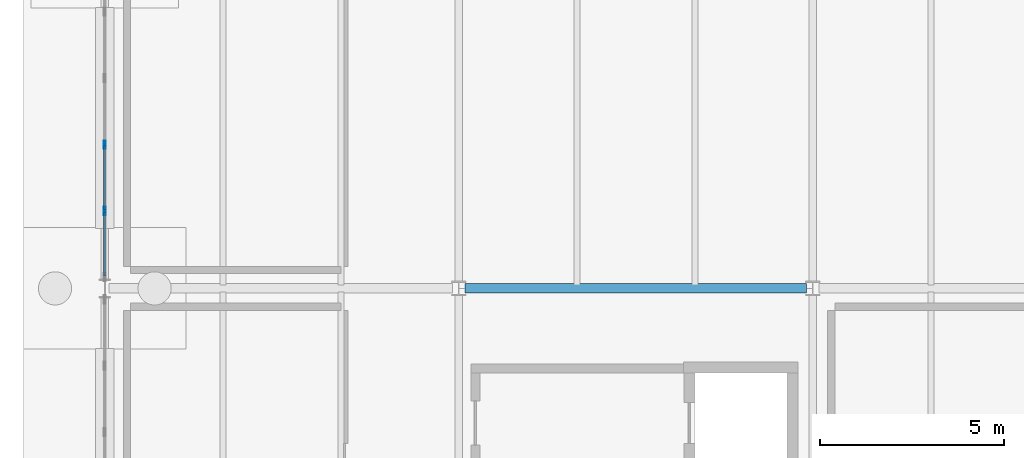
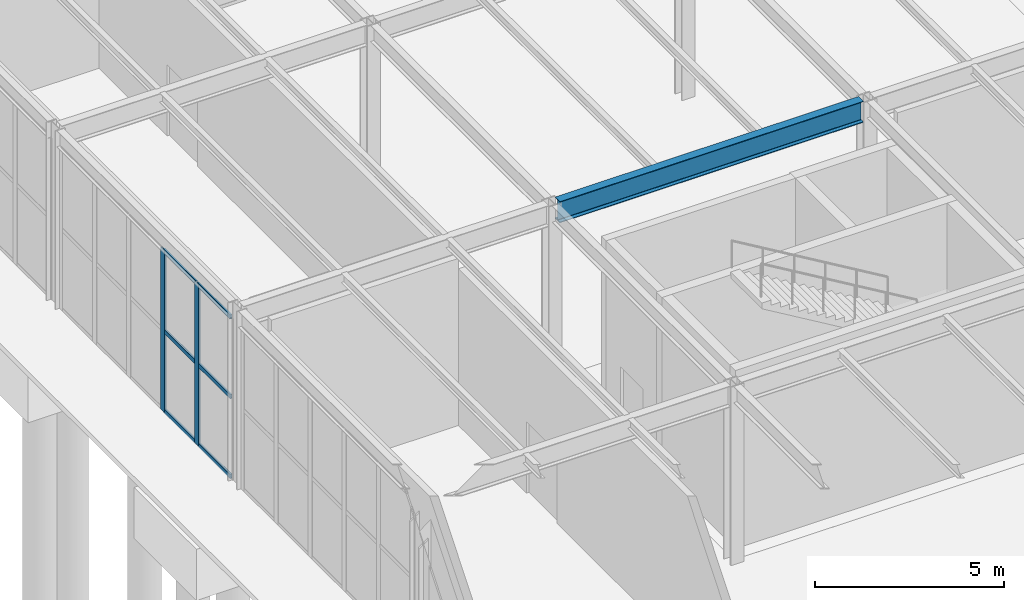
# One storey, part 47 of 142: 8 members, 1 beam, 1 element without a shape of its own.
"""IFC4 building model written with IfcOpenShell, lengths in metres."""

from ifc_helpers import new_model, si_unit, direction, frame, origin, origin_2d, place, context, subcontext, project, spatial, hollow_rectangle, i_section, extrude, material, material_profile, profile_set, type_object, element, aggregate, save


model = new_model("IFC4")

# Units and contexts
model_context = context("Model", 3, precision=1e-05, world=origin(), true_north=direction((0.0, 1.0)))
body_context = subcontext(model_context, "Body", "Model", "MODEL_VIEW")
ifc_project = project(units=[si_unit("LENGTHUNIT", "METRE"), si_unit("AREAUNIT", "SQUARE_METRE"), si_unit("VOLUMEUNIT", "CUBIC_METRE"), si_unit("PLANEANGLEUNIT", "RADIAN"), si_unit("MASSUNIT", "GRAM", prefix="KILO")], contexts=[model_context])

# Site, building, storey
site_placement = place(None, origin())
site = spatial("IfcSite", under=ifc_project, at=site_placement, CompositionType="ELEMENT")
building_placement = place(site_placement, origin())
building = spatial("IfcBuilding", under=site, at=building_placement, Name="Coralgate Yard Interchange", CompositionType="ELEMENT")
storey_placement = place(building_placement, origin())
storey = spatial("IfcBuildingStorey", under=building, at=storey_placement, Name="L00", CompositionType="ELEMENT", Elevation=0.0)

# Beam
ifc_material_1 = material(Name="Structural steel S355J2", Category="steel")
ifc_material_profile_1 = material_profile(ifc_material_1, i_section(OverallWidth=0.253662109375, OverallDepth=0.68359375, WebThickness=0.012451171875, FlangeThickness=0.01904296875, FilletRadius=0.01513671875, at=origin_2d()), Name="UB 686x254x140")
ifc_profile_set_1 = profile_set([ifc_material_profile_1], Name="Structural steel S355J2")
beam_type = type_object("IfcBeamType", Name="BM-SG-4", PredefinedType="BEAM", material=ifc_profile_set_1)
beam_placement = place(storey_placement, frame((9.76953125, 38.39990234375, 5.408203125), z_axis=(1.0, 0.0, 0.0), x_axis=(0.0, 1.0, 0.0)))
element("IfcBeam", 1, at=beam_placement, inside=storey, type_object=beam_type, Name="L00 primary grid beam Y4 X1-2", PredefinedType="BEAM", context=body_context, shape_type="SweptSolid", body=[
    extrude(i_section(OverallWidth=0.253662109375, OverallDepth=0.68359375, WebThickness=0.012451171875, FlangeThickness=0.01904296875, FilletRadius=0.01513671875, at=origin_2d()), origin(), (0.0, 0.0, 1.0), 9.260986328125),
])

# Curtain wall, members
ifc_material_2 = material(Name="Anodised coastal aluminium and solar-control low-E glass", Category="aluminium")
curtain_wall_type = type_object("IfcCurtainWallType", Name="CW-CW-L00-B", PredefinedType="NOTDEFINED", material=ifc_material_2)
curtain_wall_placement = place(storey_placement, origin())
curtain_wall = element("IfcCurtainWall", 2, at=curtain_wall_placement, inside=storey, type_object=curtain_wall_type, Name="L00 unitised curtain wall CW-L00-W-00-04", PredefinedType="NOTDEFINED")
ifc_material_3 = material(Name="Anodised coastal aluminium 6063-T6", Category="aluminium")
ifc_material_profile_2 = material_profile(ifc_material_3, hollow_rectangle(XDim=0.06005859375, YDim=0.219970703125, WallThickness=0.00390625, InnerFilletRadius=0.00390625, OuterFilletRadius=0.008056640625, at=origin_2d()), Name="ALU 60x220x4")
ifc_profile_set_2 = profile_set([ifc_material_profile_2], Name="Anodised coastal aluminium 6063-T6")
member_type_1 = type_object("IfcMemberType", Name="MB-MUL-220", PredefinedType="MULLION", material=ifc_profile_set_2)
member_1_placement = place(storey_placement, frame((0.0, 40.5, 0.0), z_axis=(0.0, 0.0, 1.0), x_axis=(1.0, 0.0, 0.0)))
member_1 = element("IfcMember", 3, at=member_1_placement, type_object=member_type_1, Name="CW-L00-W-00-04 vertical mullion 2", PredefinedType="MULLION", context=body_context, shape_type="SweptSolid", body=[
    extrude(hollow_rectangle(XDim=0.06005859375, YDim=0.219970703125, WallThickness=0.00390625, InnerFilletRadius=0.00390625, OuterFilletRadius=0.008056640625, at=origin_2d()), origin(), (0.0, 0.0, 1.0), 5.216796875),
])
member_2_placement = place(storey_placement, frame((0.0, 42.300048828125, 0.0), z_axis=(0.0, 0.0, 1.0), x_axis=(1.0, 0.0, 0.0)))
member_2 = element("IfcMember", 4, at=member_2_placement, type_object=member_type_1, Name="CW-L00-W-00-04 vertical mullion 3", PredefinedType="MULLION", context=body_context, shape_type="SweptSolid", body=[
    extrude(hollow_rectangle(XDim=0.06005859375, YDim=0.219970703125, WallThickness=0.00390625, InnerFilletRadius=0.00390625, OuterFilletRadius=0.008056640625, at=origin_2d()), origin(), (0.0, 0.0, 1.0), 5.216796875),
])
ifc_material_profile_3 = material_profile(ifc_material_3, hollow_rectangle(XDim=0.06005859375, YDim=0.139892578125, WallThickness=0.00341796875, InnerFilletRadius=0.00341796875, OuterFilletRadius=0.007080078125, at=origin_2d()), Name="ALU 60x140x3.5")
ifc_profile_set_3 = profile_set([ifc_material_profile_3], Name="Anodised coastal aluminium 6063-T6")
member_type_2 = type_object("IfcMemberType", Name="MB-TRN-140", PredefinedType="USERDEFINED", material=ifc_profile_set_3)
member_3_placement = place(storey_placement, frame((0.0, 38.72998046875, 0.034912109375), z_axis=(0.0, 1.0, 0.0), x_axis=(-1.0, 0.0, 0.0)))
member_3 = element("IfcMember", 5, at=member_3_placement, type_object=member_type_2, Name="CW-L00-W-00-04 horizontal transom 1-1", ObjectType="TRANSOM", PredefinedType="USERDEFINED", context=body_context, shape_type="SweptSolid", body=[
    extrude(hollow_rectangle(XDim=0.06005859375, YDim=0.139892578125, WallThickness=0.00341796875, InnerFilletRadius=0.00341796875, OuterFilletRadius=0.007080078125, at=origin_2d()), origin(), (0.0, 0.0, 1.0), 1.739990234375),
])
member_4_placement = place(storey_placement, frame((0.0, 38.72998046875, 2.6083984375), z_axis=(0.0, 1.0, 0.0), x_axis=(-1.0, 0.0, 0.0)))
member_4 = element("IfcMember", 6, at=member_4_placement, type_object=member_type_2, Name="CW-L00-W-00-04 horizontal transom 1-2", ObjectType="TRANSOM", PredefinedType="USERDEFINED", context=body_context, shape_type="SweptSolid", body=[
    extrude(hollow_rectangle(XDim=0.06005859375, YDim=0.139892578125, WallThickness=0.00341796875, InnerFilletRadius=0.00341796875, OuterFilletRadius=0.007080078125, at=origin_2d()), origin(), (0.0, 0.0, 1.0), 1.739990234375),
])
member_5_placement = place(storey_placement, frame((0.0, 38.72998046875, 5.181884765625), z_axis=(0.0, 1.0, 0.0), x_axis=(-1.0, 0.0, 0.0)))
member_5 = element("IfcMember", 7, at=member_5_placement, type_object=member_type_2, Name="CW-L00-W-00-04 horizontal transom 1-3", ObjectType="TRANSOM", PredefinedType="USERDEFINED", context=body_context, shape_type="SweptSolid", body=[
    extrude(hollow_rectangle(XDim=0.06005859375, YDim=0.139892578125, WallThickness=0.00341796875, InnerFilletRadius=0.00341796875, OuterFilletRadius=0.007080078125, at=origin_2d()), origin(), (0.0, 0.0, 1.0), 1.739990234375),
])
member_6_placement = place(storey_placement, frame((0.0, 40.530029296875, 0.034912109375), z_axis=(0.0, 1.0, 0.0), x_axis=(-1.0, 0.0, 0.0)))
member_6 = element("IfcMember", 8, at=member_6_placement, type_object=member_type_2, Name="CW-L00-W-00-04 horizontal transom 2-1", ObjectType="TRANSOM", PredefinedType="USERDEFINED", context=body_context, shape_type="SweptSolid", body=[
    extrude(hollow_rectangle(XDim=0.06005859375, YDim=0.139892578125, WallThickness=0.00341796875, InnerFilletRadius=0.00341796875, OuterFilletRadius=0.007080078125, at=origin_2d()), origin(), (0.0, 0.0, 1.0), 1.739990234375),
])
member_7_placement = place(storey_placement, frame((0.0, 40.530029296875, 2.6083984375), z_axis=(0.0, 1.0, 0.0), x_axis=(-1.0, 0.0, 0.0)))
member_7 = element("IfcMember", 9, at=member_7_placement, type_object=member_type_2, Name="CW-L00-W-00-04 horizontal transom 2-2", ObjectType="TRANSOM", PredefinedType="USERDEFINED", context=body_context, shape_type="SweptSolid", body=[
    extrude(hollow_rectangle(XDim=0.06005859375, YDim=0.139892578125, WallThickness=0.00341796875, InnerFilletRadius=0.00341796875, OuterFilletRadius=0.007080078125, at=origin_2d()), origin(), (0.0, 0.0, 1.0), 1.739990234375),
])
member_8_placement = place(storey_placement, frame((0.0, 40.530029296875, 5.181884765625), z_axis=(0.0, 1.0, 0.0), x_axis=(-1.0, 0.0, 0.0)))
member_8 = element("IfcMember", 10, at=member_8_placement, type_object=member_type_2, Name="CW-L00-W-00-04 horizontal transom 2-3", ObjectType="TRANSOM", PredefinedType="USERDEFINED", context=body_context, shape_type="SweptSolid", body=[
    extrude(hollow_rectangle(XDim=0.06005859375, YDim=0.139892578125, WallThickness=0.00341796875, InnerFilletRadius=0.00341796875, OuterFilletRadius=0.007080078125, at=origin_2d()), origin(), (0.0, 0.0, 1.0), 1.739990234375),
])
aggregate(curtain_wall, [member_1, member_2, member_3, member_4, member_5, member_6, member_7, member_8])

save(model, "model.ifc")
